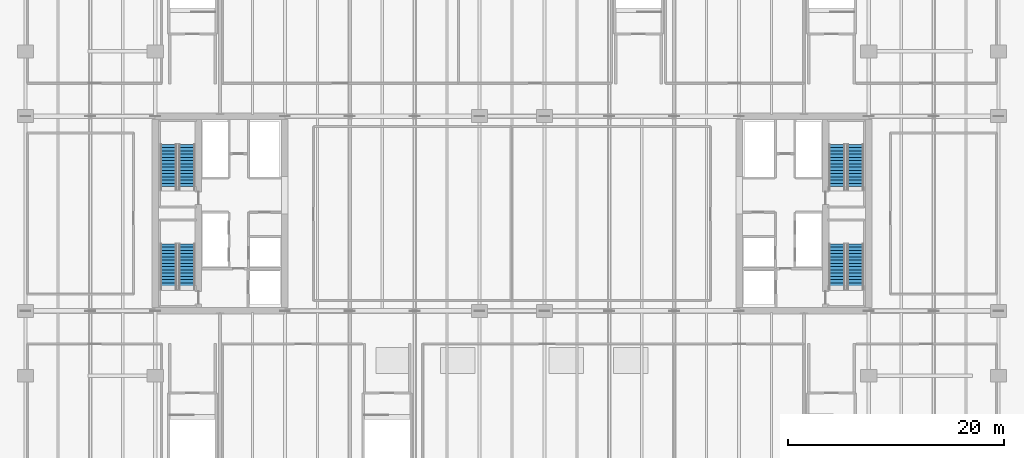
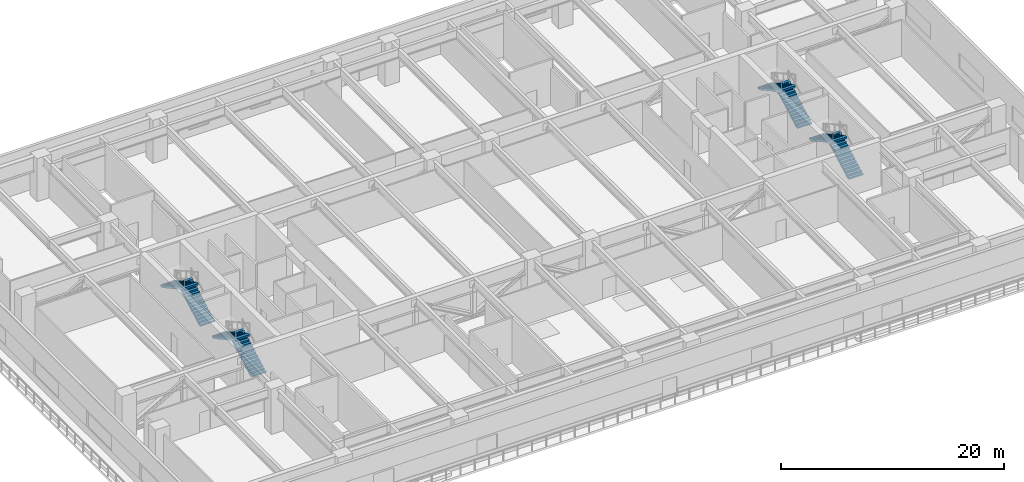
# One storey, part 16 of 25: 8 stair flights, 4 elements without a shape of their own.
"""IFC4 building model written with IfcOpenShell, lengths in metres."""

from ifc_helpers import new_model, si_unit, direction, frame, origin, place, context, subcontext, project, spatial, polyline, outline, extrude, material, type_object, element, aggregate, save


model = new_model("IFC4")

# Units and contexts
model_context = context("Model", 3, precision=1e-05, world=origin(), true_north=direction((0.0, 1.0)))
body_context = subcontext(model_context, "Body", "Model", "MODEL_VIEW")
ifc_project = project(units=[si_unit("LENGTHUNIT", "METRE"), si_unit("AREAUNIT", "SQUARE_METRE"), si_unit("VOLUMEUNIT", "CUBIC_METRE"), si_unit("PLANEANGLEUNIT", "RADIAN"), si_unit("MASSUNIT", "GRAM", prefix="KILO")], contexts=[model_context])

# Site, building, storey
site_placement = place(None, origin())
site = spatial("IfcSite", under=ifc_project, at=site_placement, CompositionType="ELEMENT")
building_placement = place(site_placement, origin())
building = spatial("IfcBuilding", under=site, at=building_placement, Name="Tanjung Sevakor Pilgrim Tower", CompositionType="ELEMENT")
storey_placement = place(building_placement, frame((0.0, 0.0, 24.090087890625)))
storey = spatial("IfcBuildingStorey", under=building, at=storey_placement, Name="L06", CompositionType="ELEMENT", Elevation=24.090087890625)

# Stair, stair flights
ifc_material_1 = material(Name="Concrete C40/50", Category="concrete")
stair_type = type_object("IfcStairType", Name="STAIR-ST-CR150", PredefinedType="HALF_TURN_STAIR", material=ifc_material_1)
stair_1_placement = place(storey_placement, origin())
stair_1 = element("IfcStair", 1, at=stair_1_placement, inside=storey, type_object=stair_type, Name="L06 West Core Exit Stair 1", PredefinedType="HALF_TURN_STAIR")
ifc_material_2 = material(Name="Concrete C40/50", Category="concrete")
stair_flight_type = type_object("IfcStairFlightType", Name="FLIGHT-ST-CR150", PredefinedType="STRAIGHT", material=ifc_material_2)
stair_flight_1_placement = place(storey_placement, frame((26.949951171875, 26.60009765625, 0.0), z_axis=(0.0, 0.0, 1.0), x_axis=(0.0, 1.0, 0.0)))
stair_flight_1 = element("IfcStairFlight", 2, at=stair_flight_1_placement, type_object=stair_flight_type, Name="TS-W1 flight 1", NumberOfRisers=15, NumberOfTreads=14, PredefinedType="STRAIGHT", RiserHeight=0.165, TreadLength=0.3, context=body_context, shape_type="SweptSolid", body=[
    extrude(outline(polyline([(0.0, 0.0), (0.0, 0.1650390625), (0.300048828125, 0.1650390625), (0.300048828125, 0.330078125), (0.60009765625, 0.330078125), (0.60009765625, 0.4951171875), (0.89990234375, 0.4951171875), (0.89990234375, 0.659912109375), (1.199951171875, 0.659912109375), (1.199951171875, 0.824951171875), (1.5, 0.824951171875), (1.5, 0.989990234375), (1.800048828125, 0.989990234375), (1.800048828125, 1.155029296875), (2.10009765625, 1.155029296875), (2.10009765625, 1.320068359375), (2.39990234375, 1.320068359375), (2.39990234375, 1.485107421875), (2.699951171875, 1.485107421875), (2.699951171875, 1.64990234375), (3.0, 1.64990234375), (3.0, 1.81494140625), (3.300048828125, 1.81494140625), (3.300048828125, 1.97998046875), (3.60009765625, 1.97998046875), (3.60009765625, 2.14501953125), (3.89990234375, 2.14501953125), (3.89990234375, 2.31005859375), (4.199951171875, 2.31005859375), (4.199951171875, 2.47509765625), (4.199951171875, 2.12744140625), (0.331787109375, 0.0), (0.0, 0.0)])), frame((0.0, 0.75, 0.0), z_axis=(0.0, -1.0, 0.0), x_axis=(1.0, 0.0, 0.0)), (0.0, 0.0, 1.0), 1.5),
])
stair_flight_2_placement = place(storey_placement, frame((25.25, 30.800048828125, 2.474853515625), z_axis=(0.0, 0.0, 1.0), x_axis=(0.0, -1.0, 0.0)))
stair_flight_2 = element("IfcStairFlight", 3, at=stair_flight_2_placement, type_object=stair_flight_type, Name="TS-W1 flight 2", NumberOfRisers=15, NumberOfTreads=14, PredefinedType="STRAIGHT", RiserHeight=0.165, TreadLength=0.3, context=body_context, shape_type="SweptSolid", body=[
    extrude(outline(polyline([(0.0, 0.0), (0.0, 0.1650390625), (0.300048828125, 0.1650390625), (0.300048828125, 0.330078125), (0.60009765625, 0.330078125), (0.60009765625, 0.4951171875), (0.89990234375, 0.4951171875), (0.89990234375, 0.659912109375), (1.199951171875, 0.659912109375), (1.199951171875, 0.824951171875), (1.5, 0.824951171875), (1.5, 0.989990234375), (1.800048828125, 0.989990234375), (1.800048828125, 1.155029296875), (2.10009765625, 1.155029296875), (2.10009765625, 1.320068359375), (2.39990234375, 1.320068359375), (2.39990234375, 1.485107421875), (2.699951171875, 1.485107421875), (2.699951171875, 1.64990234375), (3.0, 1.64990234375), (3.0, 1.81494140625), (3.300048828125, 1.81494140625), (3.300048828125, 1.97998046875), (3.60009765625, 1.97998046875), (3.60009765625, 2.14501953125), (3.89990234375, 2.14501953125), (3.89990234375, 2.31005859375), (4.199951171875, 2.31005859375), (4.199951171875, 2.47509765625), (4.199951171875, 2.12744140625), (0.331787109375, 0.0), (0.0, 0.0)])), frame((0.0, 0.75, 0.0), z_axis=(0.0, -1.0, 0.0), x_axis=(1.0, 0.0, 0.0)), (0.0, 0.0, 1.0), 1.5),
])
aggregate(stair_1, [stair_flight_1, stair_flight_2])

stair_2_placement = place(storey_placement, origin())
stair_2 = element("IfcStair", 4, at=stair_2_placement, inside=storey, type_object=stair_type, Name="L06 West Core Exit Stair 2", PredefinedType="HALF_TURN_STAIR")
stair_flight_3_placement = place(storey_placement, frame((26.949951171875, 35.800048828125, 0.0), z_axis=(0.0, 0.0, 1.0), x_axis=(0.0, 1.0, 0.0)))
stair_flight_3 = element("IfcStairFlight", 5, at=stair_flight_3_placement, type_object=stair_flight_type, Name="TS-W2 flight 1", NumberOfRisers=15, NumberOfTreads=14, PredefinedType="STRAIGHT", RiserHeight=0.165, TreadLength=0.3, context=body_context, shape_type="SweptSolid", body=[
    extrude(outline(polyline([(0.0, 0.0), (0.0, 0.1650390625), (0.300048828125, 0.1650390625), (0.300048828125, 0.330078125), (0.60009765625, 0.330078125), (0.60009765625, 0.4951171875), (0.89990234375, 0.4951171875), (0.89990234375, 0.659912109375), (1.199951171875, 0.659912109375), (1.199951171875, 0.824951171875), (1.5, 0.824951171875), (1.5, 0.989990234375), (1.800048828125, 0.989990234375), (1.800048828125, 1.155029296875), (2.10009765625, 1.155029296875), (2.10009765625, 1.320068359375), (2.39990234375, 1.320068359375), (2.39990234375, 1.485107421875), (2.699951171875, 1.485107421875), (2.699951171875, 1.64990234375), (3.0, 1.64990234375), (3.0, 1.81494140625), (3.300048828125, 1.81494140625), (3.300048828125, 1.97998046875), (3.60009765625, 1.97998046875), (3.60009765625, 2.14501953125), (3.89990234375, 2.14501953125), (3.89990234375, 2.31005859375), (4.199951171875, 2.31005859375), (4.199951171875, 2.47509765625), (4.199951171875, 2.12744140625), (0.331787109375, 0.0), (0.0, 0.0)])), frame((0.0, 0.75, 0.0), z_axis=(0.0, -1.0, 0.0), x_axis=(1.0, 0.0, 0.0)), (0.0, 0.0, 1.0), 1.5),
])
stair_flight_4_placement = place(storey_placement, frame((25.25, 40.0, 2.474853515625), z_axis=(0.0, 0.0, 1.0), x_axis=(0.0, -1.0, 0.0)))
stair_flight_4 = element("IfcStairFlight", 6, at=stair_flight_4_placement, type_object=stair_flight_type, Name="TS-W2 flight 2", NumberOfRisers=15, NumberOfTreads=14, PredefinedType="STRAIGHT", RiserHeight=0.165, TreadLength=0.3, context=body_context, shape_type="SweptSolid", body=[
    extrude(outline(polyline([(0.0, 0.0), (0.0, 0.1650390625), (0.300048828125, 0.1650390625), (0.300048828125, 0.330078125), (0.60009765625, 0.330078125), (0.60009765625, 0.4951171875), (0.89990234375, 0.4951171875), (0.89990234375, 0.659912109375), (1.199951171875, 0.659912109375), (1.199951171875, 0.824951171875), (1.5, 0.824951171875), (1.5, 0.989990234375), (1.800048828125, 0.989990234375), (1.800048828125, 1.155029296875), (2.10009765625, 1.155029296875), (2.10009765625, 1.320068359375), (2.39990234375, 1.320068359375), (2.39990234375, 1.485107421875), (2.699951171875, 1.485107421875), (2.699951171875, 1.64990234375), (3.0, 1.64990234375), (3.0, 1.81494140625), (3.300048828125, 1.81494140625), (3.300048828125, 1.97998046875), (3.60009765625, 1.97998046875), (3.60009765625, 2.14501953125), (3.89990234375, 2.14501953125), (3.89990234375, 2.31005859375), (4.199951171875, 2.31005859375), (4.199951171875, 2.47509765625), (4.199951171875, 2.12744140625), (0.331787109375, 0.0), (0.0, 0.0)])), frame((0.0, 0.75, 0.0), z_axis=(0.0, -1.0, 0.0), x_axis=(1.0, 0.0, 0.0)), (0.0, 0.0, 1.0), 1.5),
])
aggregate(stair_2, [stair_flight_3, stair_flight_4])

stair_3_placement = place(storey_placement, origin())
stair_3 = element("IfcStair", 7, at=stair_3_placement, inside=storey, type_object=stair_type, Name="L06 East Core Exit Stair 1", PredefinedType="HALF_TURN_STAIR")
stair_flight_5_placement = place(storey_placement, frame((88.75, 26.60009765625, 0.0), z_axis=(0.0, 0.0, 1.0), x_axis=(0.0, 1.0, 0.0)))
stair_flight_5 = element("IfcStairFlight", 8, at=stair_flight_5_placement, type_object=stair_flight_type, Name="TS-E1 flight 1", NumberOfRisers=15, NumberOfTreads=14, PredefinedType="STRAIGHT", RiserHeight=0.165, TreadLength=0.3, context=body_context, shape_type="SweptSolid", body=[
    extrude(outline(polyline([(0.0, 0.0), (0.0, 0.1650390625), (0.300048828125, 0.1650390625), (0.300048828125, 0.330078125), (0.60009765625, 0.330078125), (0.60009765625, 0.4951171875), (0.89990234375, 0.4951171875), (0.89990234375, 0.659912109375), (1.199951171875, 0.659912109375), (1.199951171875, 0.824951171875), (1.5, 0.824951171875), (1.5, 0.989990234375), (1.800048828125, 0.989990234375), (1.800048828125, 1.155029296875), (2.10009765625, 1.155029296875), (2.10009765625, 1.320068359375), (2.39990234375, 1.320068359375), (2.39990234375, 1.485107421875), (2.699951171875, 1.485107421875), (2.699951171875, 1.64990234375), (3.0, 1.64990234375), (3.0, 1.81494140625), (3.300048828125, 1.81494140625), (3.300048828125, 1.97998046875), (3.60009765625, 1.97998046875), (3.60009765625, 2.14501953125), (3.89990234375, 2.14501953125), (3.89990234375, 2.31005859375), (4.199951171875, 2.31005859375), (4.199951171875, 2.47509765625), (4.199951171875, 2.12744140625), (0.331787109375, 0.0), (0.0, 0.0)])), frame((0.0, 0.75, 0.0), z_axis=(0.0, -1.0, 0.0), x_axis=(1.0, 0.0, 0.0)), (0.0, 0.0, 1.0), 1.5),
])
stair_flight_6_placement = place(storey_placement, frame((87.050048828125, 30.800048828125, 2.474853515625), z_axis=(0.0, 0.0, 1.0), x_axis=(0.0, -1.0, 0.0)))
stair_flight_6 = element("IfcStairFlight", 9, at=stair_flight_6_placement, type_object=stair_flight_type, Name="TS-E1 flight 2", NumberOfRisers=15, NumberOfTreads=14, PredefinedType="STRAIGHT", RiserHeight=0.165, TreadLength=0.3, context=body_context, shape_type="SweptSolid", body=[
    extrude(outline(polyline([(0.0, 0.0), (0.0, 0.1650390625), (0.300048828125, 0.1650390625), (0.300048828125, 0.330078125), (0.60009765625, 0.330078125), (0.60009765625, 0.4951171875), (0.89990234375, 0.4951171875), (0.89990234375, 0.659912109375), (1.199951171875, 0.659912109375), (1.199951171875, 0.824951171875), (1.5, 0.824951171875), (1.5, 0.989990234375), (1.800048828125, 0.989990234375), (1.800048828125, 1.155029296875), (2.10009765625, 1.155029296875), (2.10009765625, 1.320068359375), (2.39990234375, 1.320068359375), (2.39990234375, 1.485107421875), (2.699951171875, 1.485107421875), (2.699951171875, 1.64990234375), (3.0, 1.64990234375), (3.0, 1.81494140625), (3.300048828125, 1.81494140625), (3.300048828125, 1.97998046875), (3.60009765625, 1.97998046875), (3.60009765625, 2.14501953125), (3.89990234375, 2.14501953125), (3.89990234375, 2.31005859375), (4.199951171875, 2.31005859375), (4.199951171875, 2.47509765625), (4.199951171875, 2.12744140625), (0.331787109375, 0.0), (0.0, 0.0)])), frame((0.0, 0.75, 0.0), z_axis=(0.0, -1.0, 0.0), x_axis=(1.0, 0.0, 0.0)), (0.0, 0.0, 1.0), 1.5),
])
aggregate(stair_3, [stair_flight_5, stair_flight_6])

stair_4_placement = place(storey_placement, origin())
stair_4 = element("IfcStair", 10, at=stair_4_placement, inside=storey, type_object=stair_type, Name="L06 East Core Exit Stair 2", PredefinedType="HALF_TURN_STAIR")
stair_flight_7_placement = place(storey_placement, frame((88.75, 35.800048828125, 0.0), z_axis=(0.0, 0.0, 1.0), x_axis=(0.0, 1.0, 0.0)))
stair_flight_7 = element("IfcStairFlight", 11, at=stair_flight_7_placement, type_object=stair_flight_type, Name="TS-E2 flight 1", NumberOfRisers=15, NumberOfTreads=14, PredefinedType="STRAIGHT", RiserHeight=0.165, TreadLength=0.3, context=body_context, shape_type="SweptSolid", body=[
    extrude(outline(polyline([(0.0, 0.0), (0.0, 0.1650390625), (0.300048828125, 0.1650390625), (0.300048828125, 0.330078125), (0.60009765625, 0.330078125), (0.60009765625, 0.4951171875), (0.89990234375, 0.4951171875), (0.89990234375, 0.659912109375), (1.199951171875, 0.659912109375), (1.199951171875, 0.824951171875), (1.5, 0.824951171875), (1.5, 0.989990234375), (1.800048828125, 0.989990234375), (1.800048828125, 1.155029296875), (2.10009765625, 1.155029296875), (2.10009765625, 1.320068359375), (2.39990234375, 1.320068359375), (2.39990234375, 1.485107421875), (2.699951171875, 1.485107421875), (2.699951171875, 1.64990234375), (3.0, 1.64990234375), (3.0, 1.81494140625), (3.300048828125, 1.81494140625), (3.300048828125, 1.97998046875), (3.60009765625, 1.97998046875), (3.60009765625, 2.14501953125), (3.89990234375, 2.14501953125), (3.89990234375, 2.31005859375), (4.199951171875, 2.31005859375), (4.199951171875, 2.47509765625), (4.199951171875, 2.12744140625), (0.331787109375, 0.0), (0.0, 0.0)])), frame((0.0, 0.75, 0.0), z_axis=(0.0, -1.0, 0.0), x_axis=(1.0, 0.0, 0.0)), (0.0, 0.0, 1.0), 1.5),
])
stair_flight_8_placement = place(storey_placement, frame((87.050048828125, 40.0, 2.474853515625), z_axis=(0.0, 0.0, 1.0), x_axis=(0.0, -1.0, 0.0)))
stair_flight_8 = element("IfcStairFlight", 12, at=stair_flight_8_placement, type_object=stair_flight_type, Name="TS-E2 flight 2", NumberOfRisers=15, NumberOfTreads=14, PredefinedType="STRAIGHT", RiserHeight=0.165, TreadLength=0.3, context=body_context, shape_type="SweptSolid", body=[
    extrude(outline(polyline([(0.0, 0.0), (0.0, 0.1650390625), (0.300048828125, 0.1650390625), (0.300048828125, 0.330078125), (0.60009765625, 0.330078125), (0.60009765625, 0.4951171875), (0.89990234375, 0.4951171875), (0.89990234375, 0.659912109375), (1.199951171875, 0.659912109375), (1.199951171875, 0.824951171875), (1.5, 0.824951171875), (1.5, 0.989990234375), (1.800048828125, 0.989990234375), (1.800048828125, 1.155029296875), (2.10009765625, 1.155029296875), (2.10009765625, 1.320068359375), (2.39990234375, 1.320068359375), (2.39990234375, 1.485107421875), (2.699951171875, 1.485107421875), (2.699951171875, 1.64990234375), (3.0, 1.64990234375), (3.0, 1.81494140625), (3.300048828125, 1.81494140625), (3.300048828125, 1.97998046875), (3.60009765625, 1.97998046875), (3.60009765625, 2.14501953125), (3.89990234375, 2.14501953125), (3.89990234375, 2.31005859375), (4.199951171875, 2.31005859375), (4.199951171875, 2.47509765625), (4.199951171875, 2.12744140625), (0.331787109375, 0.0), (0.0, 0.0)])), frame((0.0, 0.75, 0.0), z_axis=(0.0, -1.0, 0.0), x_axis=(1.0, 0.0, 0.0)), (0.0, 0.0, 1.0), 1.5),
])
aggregate(stair_4, [stair_flight_7, stair_flight_8])

save(model, "model.ifc")
